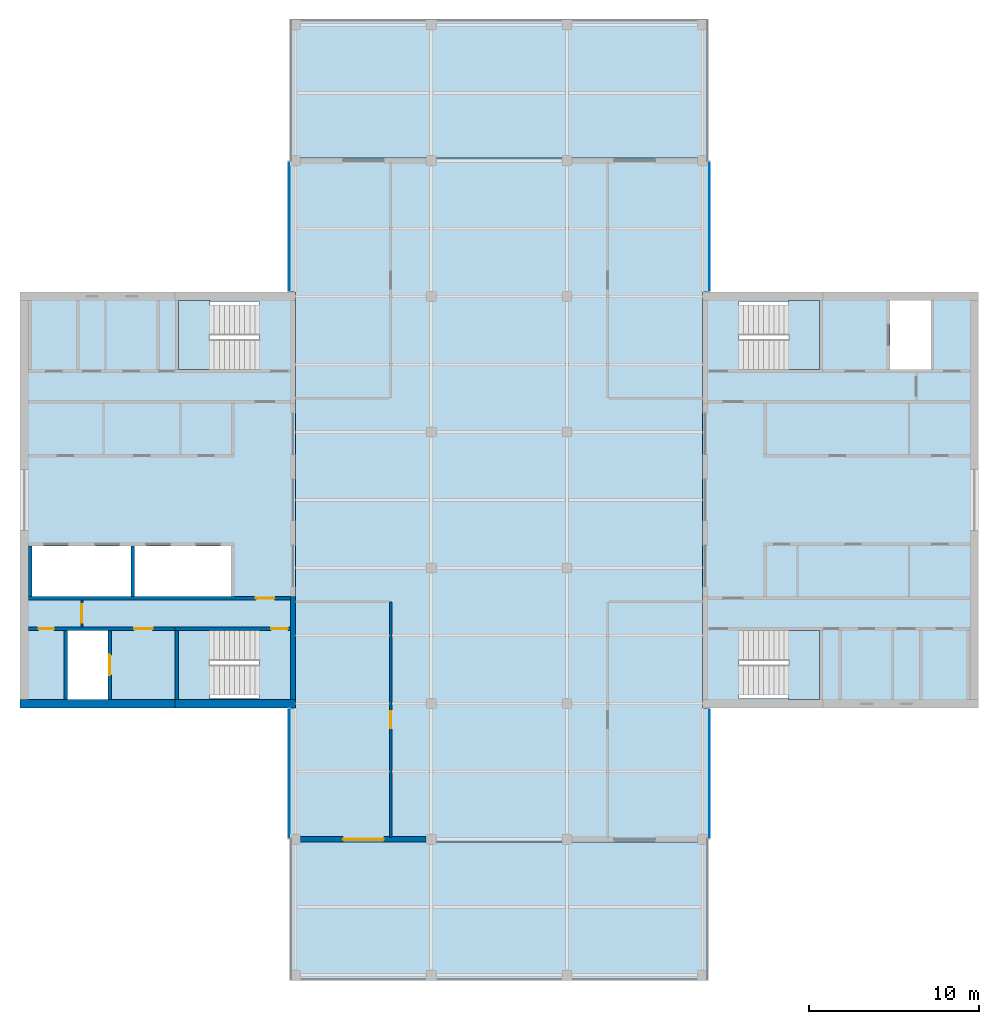
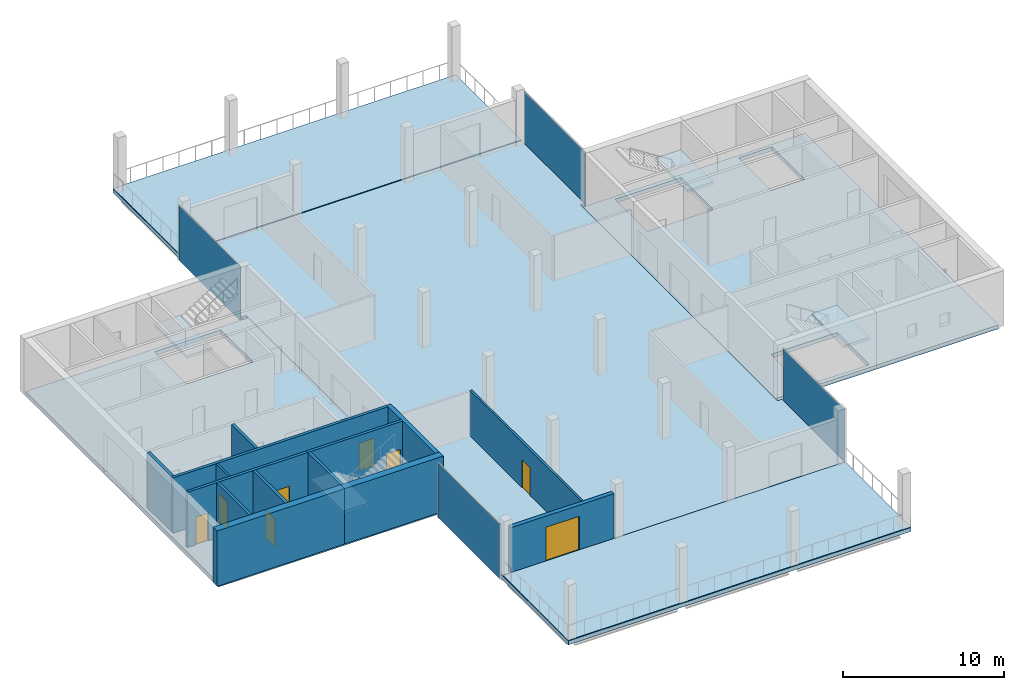
# One storey, part 7 of 12: 14 walls, 9 slabs, 8 doors, 4 plates, 8 openings, 8 elements without a shape of their own.
"""IFC4 building model written with IfcOpenShell, lengths in metres."""

from ifc_helpers import new_model, si_unit, direction, frame, frame_2d, origin, place, context, subcontext, project, spatial, polyline, rectangle, outline, extrude, material, layer, layer_set, constituent, constituent_set, type_object, element, fill, aggregate, save


model = new_model("IFC4")

# Units and contexts
model_context = context("Model", 3, precision=1e-05, world=origin(), true_north=direction((0.0, 1.0)))
body_context = subcontext(model_context, "Body", "Model", "MODEL_VIEW")
ifc_project = project(units=[si_unit("LENGTHUNIT", "METRE"), si_unit("AREAUNIT", "SQUARE_METRE"), si_unit("VOLUMEUNIT", "CUBIC_METRE"), si_unit("PLANEANGLEUNIT", "RADIAN"), si_unit("MASSUNIT", "GRAM", prefix="KILO")], contexts=[model_context])

# Site, building, storey
site_placement = place(None, origin())
site = spatial("IfcSite", under=ifc_project, at=site_placement, CompositionType="ELEMENT")
building_placement = place(site_placement, origin())
building = spatial("IfcBuilding", under=site, at=building_placement, Name="Crosswind Convention Tower", CompositionType="ELEMENT")
storey_placement = place(building_placement, frame((0.0, 0.0, 328.10009765625)))
storey = spatial("IfcBuildingStorey", under=building, at=storey_placement, Name="L71", CompositionType="ELEMENT", Elevation=328.10009765625)

# Slabs
ifc_material_1 = material(Name="Concrete C40/50", Category="concrete")
ifc_layer_1 = layer(ifc_material_1, 0.300048828125)
ifc_layer_set_1 = layer_set([ifc_layer_1], Name="Concrete C40/50")
slab_type_1 = type_object("IfcSlabType", Name="Composite floor slab 300", PredefinedType="FLOOR", material=ifc_layer_set_1)
slab_1_placement = place(storey_placement, frame((0.0, 0.0, -0.300048828125)))
element("IfcSlab", 1, at=slab_1_placement, inside=storey, type_object=slab_type_1, Name="Floor slab L71", PredefinedType="FLOOR", context=body_context, shape_type="SweptSolid", body=[
    extrude(outline(polyline([(137.300048828125, 71.699951171875), (137.0, 71.699951171875), (113.0, 71.699951171875), (112.699951171875, 71.699951171875), (112.699951171875, 72.0), (112.699951171875, 87.75), (113.0, 87.75), (113.0, 112.25), (112.699951171875, 112.25), (112.699951171875, 128.0), (112.699951171875, 128.300048828125), (113.0, 128.300048828125), (137.0, 128.300048828125), (137.300048828125, 128.300048828125), (137.300048828125, 128.0), (137.300048828125, 112.25), (137.0, 112.25), (137.0, 87.75), (137.300048828125, 87.75), (137.300048828125, 72.0), (137.300048828125, 71.699951171875)])), origin(), (0.0, 0.0, 1.0), 0.300048828125),
])
ifc_layer_2 = layer(ifc_material_1, 0.300048828125)
ifc_layer_set_2 = layer_set([ifc_layer_2], Name="Concrete C40/50")
slab_type_2 = type_object("IfcSlabType", Name="Concrete core floor slab 300", PredefinedType="FLOOR", material=ifc_layer_set_2)
slab_2_placement = place(storey_placement, frame((0.0, 0.0, -0.300048828125)))
element("IfcSlab", 2, at=slab_2_placement, inside=storey, type_object=slab_type_2, Name="Core floor slab E L71", PredefinedType="FLOOR", context=body_context, shape_type="SweptSolid", body=[
    extrude(outline(polyline([(137.0, 88.0), (153.0, 88.0), (153.0, 112.0), (137.0, 112.0), (137.0, 88.0)]), holes=[polyline([(150.449951171875, 107.699951171875), (150.449951171875, 111.75), (148.050048828125, 111.75), (148.050048828125, 107.699951171875), (150.449951171875, 107.699951171875)]), polyline([(143.89990234375, 107.699951171875), (143.89990234375, 111.699951171875), (139.14990234375, 111.699951171875), (139.14990234375, 107.699951171875), (143.89990234375, 107.699951171875)]), polyline([(143.89990234375, 88.300048828125), (143.89990234375, 92.300048828125), (139.14990234375, 92.300048828125), (139.14990234375, 88.300048828125), (143.89990234375, 88.300048828125)])]), origin(), (0.0, 0.0, 1.0), 0.300048828125),
])
slab_3_placement = place(storey_placement, frame((0.0, 0.0, -0.300048828125)))
element("IfcSlab", 3, at=slab_3_placement, inside=storey, type_object=slab_type_2, Name="Core floor slab W L71", PredefinedType="FLOOR", context=body_context, shape_type="SweptSolid", body=[
    extrude(outline(polyline([(97.0, 88.0), (113.0, 88.0), (113.0, 112.0), (97.0, 112.0), (97.0, 88.0)]), holes=[polyline([(109.199951171875, 94.300048828125), (109.199951171875, 97.300048828125), (103.5, 97.300048828125), (103.5, 94.300048828125), (109.199951171875, 94.300048828125)]), polyline([(103.300048828125, 94.300048828125), (103.300048828125, 97.300048828125), (97.449951171875, 97.300048828125), (97.449951171875, 94.300048828125), (103.300048828125, 94.300048828125)]), polyline([(101.949951171875, 88.25), (101.949951171875, 92.300048828125), (99.550048828125, 92.300048828125), (99.550048828125, 88.25), (101.949951171875, 88.25)]), polyline([(110.85009765625, 88.300048828125), (110.85009765625, 92.300048828125), (106.10009765625, 92.300048828125), (106.10009765625, 88.300048828125), (110.85009765625, 88.300048828125)]), polyline([(110.85009765625, 107.699951171875), (110.85009765625, 111.699951171875), (106.10009765625, 111.699951171875), (106.10009765625, 107.699951171875), (110.85009765625, 107.699951171875)])]), origin(), (0.0, 0.0, 1.0), 0.300048828125),
])
ifc_material_2 = material(Name="Porcelain paving on pedestals", Category="ceramic")
ifc_layer_3 = layer(ifc_material_2, 0.050048828125)
ifc_layer_set_3 = layer_set([ifc_layer_3], Name="SKY DECK PAVING 50")
slab_type_3 = type_object("IfcSlabType", Name="SKY DECK PAVING 50", PredefinedType="USERDEFINED", material=ifc_layer_set_3)
slab_4_placement = place(storey_placement, origin())
element("IfcSlab", 4, at=slab_4_placement, inside=storey, type_object=slab_type_3, Name="Sky deck L71 N", ObjectType="PAVING", PredefinedType="USERDEFINED", context=body_context, shape_type="SweptSolid", body=[
    extrude(outline(polyline([(112.699951171875, 128.0), (112.699951171875, 128.300048828125), (113.0, 128.300048828125), (137.0, 128.300048828125), (137.300048828125, 128.300048828125), (137.300048828125, 128.0), (137.300048828125, 120.14990234375), (112.699951171875, 120.14990234375), (112.699951171875, 128.0)])), origin(), (0.0, 0.0, 1.0), 0.0498046875),
])
slab_5_placement = place(storey_placement, origin())
element("IfcSlab", 5, at=slab_5_placement, inside=storey, type_object=slab_type_3, Name="Sky deck L71 S", ObjectType="PAVING", PredefinedType="USERDEFINED", context=body_context, shape_type="SweptSolid", body=[
    extrude(outline(polyline([(137.300048828125, 71.699951171875), (137.0, 71.699951171875), (113.0, 71.699951171875), (112.699951171875, 71.699951171875), (112.699951171875, 72.0), (112.699951171875, 79.85009765625), (137.300048828125, 79.85009765625), (137.300048828125, 72.0), (137.300048828125, 71.699951171875)])), origin(), (0.0, 0.0, 1.0), 0.0498046875),
])

# Stair, slab
stair_type = type_object("IfcStairType", Name="Exit stair 1800 wide, 2 flights of 11 risers", PredefinedType="HALF_TURN_STAIR", material=ifc_material_1)
stair_1_placement = place(storey_placement, origin())
stair_1 = element("IfcStair", 6, at=stair_1_placement, inside=storey, type_object=stair_type, Name="Exit stair ST1 L71", ObjectType="ST5", PredefinedType="HALF_TURN_STAIR")
ifc_layer_4 = layer(ifc_material_1, 0.199951171875)
ifc_layer_set_4 = layer_set([ifc_layer_4], Name="Concrete C40/50")
slab_type_4 = type_object("IfcSlabType", Name="Stair landing 200", PredefinedType="LANDING", material=ifc_layer_set_4)
slab_6_placement = place(storey_placement, frame((0.0, 0.0, 1.89990234375)))
slab_6 = element("IfcSlab", 7, at=slab_6_placement, type_object=slab_type_4, Name="ST1 landing 1", PredefinedType="LANDING", context=body_context, shape_type="SweptSolid", body=[
    extrude(outline(polyline([(143.89990234375, 107.699951171875), (143.89990234375, 111.75), (142.050048828125, 111.75), (142.050048828125, 107.699951171875), (143.89990234375, 107.699951171875)])), origin(), (0.0, 0.0, 1.0), 0.199951171875),
])
aggregate(stair_1, [slab_6])

stair_2_placement = place(storey_placement, origin())
stair_2 = element("IfcStair", 8, at=stair_2_placement, inside=storey, type_object=stair_type, Name="Exit stair ST2 L71", ObjectType="ST5", PredefinedType="HALF_TURN_STAIR")
slab_7_placement = place(storey_placement, frame((0.0, 0.0, 1.89990234375)))
slab_7 = element("IfcSlab", 9, at=slab_7_placement, type_object=slab_type_4, Name="ST2 landing 1", PredefinedType="LANDING", context=body_context, shape_type="SweptSolid", body=[
    extrude(outline(polyline([(143.89990234375, 88.25), (143.89990234375, 92.300048828125), (142.050048828125, 92.300048828125), (142.050048828125, 88.25), (143.89990234375, 88.25)])), origin(), (0.0, 0.0, 1.0), 0.199951171875),
])
aggregate(stair_2, [slab_7])

stair_3_placement = place(storey_placement, origin())
stair_3 = element("IfcStair", 10, at=stair_3_placement, inside=storey, type_object=stair_type, Name="Exit stair ST3 L71", ObjectType="ST5", PredefinedType="HALF_TURN_STAIR")
slab_8_placement = place(storey_placement, frame((0.0, 0.0, 1.89990234375)))
slab_8 = element("IfcSlab", 11, at=slab_8_placement, type_object=slab_type_4, Name="ST3 landing 1", PredefinedType="LANDING", context=body_context, shape_type="SweptSolid", body=[
    extrude(outline(polyline([(107.949951171875, 88.25), (107.949951171875, 92.300048828125), (106.10009765625, 92.300048828125), (106.10009765625, 88.25), (107.949951171875, 88.25)])), origin(), (0.0, 0.0, 1.0), 0.199951171875),
])
aggregate(stair_3, [slab_8])

stair_4_placement = place(storey_placement, origin())
stair_4 = element("IfcStair", 12, at=stair_4_placement, inside=storey, type_object=stair_type, Name="Exit stair ST4 L71", ObjectType="ST5", PredefinedType="HALF_TURN_STAIR")
slab_9_placement = place(storey_placement, frame((0.0, 0.0, 1.89990234375)))
slab_9 = element("IfcSlab", 13, at=slab_9_placement, type_object=slab_type_4, Name="ST4 landing 1", PredefinedType="LANDING", context=body_context, shape_type="SweptSolid", body=[
    extrude(outline(polyline([(107.949951171875, 107.699951171875), (107.949951171875, 111.75), (106.10009765625, 111.75), (106.10009765625, 107.699951171875), (107.949951171875, 107.699951171875)])), origin(), (0.0, 0.0, 1.0), 0.199951171875),
])
aggregate(stair_4, [slab_9])

# Curtain wall, plate
ifc_material_3 = material(Name="Aluminium unitised curtain wall", Category="aluminium")
curtain_wall_type = type_object("IfcCurtainWallType", Name="CORE END SLOT WALL 160", PredefinedType="USERDEFINED", material=ifc_material_3)
curtain_wall_1_placement = place(storey_placement, origin())
curtain_wall_1 = element("IfcCurtainWall", 14, at=curtain_wall_1_placement, inside=storey, type_object=curtain_wall_type, Name="CW6 L71 N-E.1-1 slot", ObjectType="UNITISED", PredefinedType="USERDEFINED")
ifc_material_4 = material(Name="Laminated insulating glass unit", Category="glass")
ifc_layer_5 = layer(ifc_material_4, 0.02587890625)
ifc_layer_set_5 = layer_set([ifc_layer_5], Name="TRIANGULAR GLASS PANEL 26")
plate_type = type_object("IfcPlateType", Name="TRIANGULAR GLASS PANEL 26", PredefinedType="CURTAIN_PANEL", material=ifc_layer_set_5)
plate_1_placement = place(storey_placement, frame((137.40673828125, 112.300048828125, -0.300048828125), z_axis=(0.999999937702, 0.0, 0.000352982682), x_axis=(0.0, 1.0, 0.0)))
plate_1 = element("IfcPlate", 15, at=plate_1_placement, type_object=plate_type, Name="CW6 panel 1.1", PredefinedType="CURTAIN_PANEL", context=body_context, shape_type="SweptSolid", body=[
    extrude(outline(polyline([(0.0, 0.0), (7.64990234375, 0.0), (7.64990234375, 4.149902602282246), (0.0, 4.149902602282246), (0.0, 0.0)])), origin(), (0.0, 0.0, -1.0), 0.02587890625),
])
aggregate(curtain_wall_1, [plate_1])

curtain_wall_2_placement = place(storey_placement, origin())
curtain_wall_2 = element("IfcCurtainWall", 16, at=curtain_wall_2_placement, inside=storey, type_object=curtain_wall_type, Name="CW6 L71 N-W.1-2 slot", ObjectType="UNITISED", PredefinedType="USERDEFINED")
plate_2_placement = place(storey_placement, frame((112.59326171875, 119.949951171875, -0.300048828125), z_axis=(-0.999999937702, 0.0, 0.000352982682), x_axis=(0.0, -1.0, 0.0)))
plate_2 = element("IfcPlate", 17, at=plate_2_placement, type_object=plate_type, Name="CW6 panel 1.1", PredefinedType="CURTAIN_PANEL", context=body_context, shape_type="SweptSolid", body=[
    extrude(outline(polyline([(0.0, 0.0), (7.64990234375, 0.0), (7.64990234375, 4.149902602282246), (0.0, 4.149902602282246), (0.0, 0.0)])), origin(), (0.0, 0.0, -1.0), 0.02587890625),
])
aggregate(curtain_wall_2, [plate_2])

curtain_wall_3_placement = place(storey_placement, origin())
curtain_wall_3 = element("IfcCurtainWall", 18, at=curtain_wall_3_placement, inside=storey, type_object=curtain_wall_type, Name="CW6 L71 S-W.1-1 slot", ObjectType="UNITISED", PredefinedType="USERDEFINED")
plate_3_placement = place(storey_placement, frame((112.59326171875, 87.699951171875, -0.300048828125), z_axis=(-0.999999937702, 0.0, 0.000352982682), x_axis=(0.0, -1.0, 0.0)))
plate_3 = element("IfcPlate", 19, at=plate_3_placement, type_object=plate_type, Name="CW6 panel 1.1", PredefinedType="CURTAIN_PANEL", context=body_context, shape_type="SweptSolid", body=[
    extrude(outline(polyline([(0.0, 0.0), (7.64990234375, 0.0), (7.64990234375, 4.149902602282246), (0.0, 4.149902602282246), (0.0, 0.0)])), origin(), (0.0, 0.0, -1.0), 0.02587890625),
])
aggregate(curtain_wall_3, [plate_3])

curtain_wall_4_placement = place(storey_placement, origin())
curtain_wall_4 = element("IfcCurtainWall", 20, at=curtain_wall_4_placement, inside=storey, type_object=curtain_wall_type, Name="CW6 L71 S-E.1-2 slot", ObjectType="UNITISED", PredefinedType="USERDEFINED")
plate_4_placement = place(storey_placement, frame((137.40673828125, 80.050048828125, -0.300048828125), z_axis=(0.999999937702, 0.0, 0.000352982682), x_axis=(0.0, 1.0, 0.0)))
plate_4 = element("IfcPlate", 21, at=plate_4_placement, type_object=plate_type, Name="CW6 panel 1.1", PredefinedType="CURTAIN_PANEL", context=body_context, shape_type="SweptSolid", body=[
    extrude(outline(polyline([(0.0, 0.0), (7.64990234375, 0.0), (7.64990234375, 4.149902602282246), (0.0, 4.149902602282246), (0.0, 0.0)])), origin(), (0.0, 0.0, -1.0), 0.02587890625),
])
aggregate(curtain_wall_4, [plate_4])

# Walls
ifc_material_5 = material(Name="Concrete C50/60", Category="concrete")
ifc_layer_6 = layer(ifc_material_5, 0.300048828125)
ifc_layer_set_6 = layer_set([ifc_layer_6], Name="Concrete C50/60")
wall_type_1 = type_object("IfcWallType", Name="Concrete inner core wall 300", PredefinedType="SHEAR", material=ifc_layer_set_6)
wall_1_placement = place(storey_placement, frame((112.85009765625, 94.300048828125, 0.0), z_axis=(0.0, 0.0, 1.0), x_axis=(0.0, -1.0, 0.0)))
element("IfcWall", 22, at=wall_1_placement, inside=storey, type_object=wall_type_1, Name="Wall EP W L71", PredefinedType="SHEAR", context=body_context, shape_type="SweptSolid", body=[
    extrude(rectangle(XDim=6.050048828125, YDim=0.300048828125, at=frame_2d((3.02490234375, 0.0))), origin(), (0.0, 0.0, 1.0), 4.199951171875),
])
ifc_layer_7 = layer(ifc_material_5, 0.199951171875)
ifc_layer_set_7 = layer_set([ifc_layer_7], Name="Concrete C50/60")
wall_type_2 = type_object("IfcWallType", Name="Concrete shaft and stair wall 200", PredefinedType="SHEAR", material=ifc_layer_set_7)
for number, where, z_axis, x_axis, name in (
    (23, (103.39990234375, 97.300048828125, 0.0), (0.0, 0.0, 1.0), (0.0, -1.0, 0.0), "Wall RPSEP W L71"),
    (24, (97.35009765625, 97.300048828125, 0.0), (0.0, 0.0, 1.0), (0.0, -1.0, 0.0), "Wall RPEAST W L71"),
):
    element("IfcWall", number, at=place(storey_placement, frame(where, z_axis=z_axis, x_axis=x_axis)), inside=storey, type_object=wall_type_2, Name=name, PredefinedType="SHEAR", context=body_context, shape_type="SweptSolid", body=[
        extrude(rectangle(XDim=3.0, YDim=0.199951171875, at=frame_2d((1.5, 0.0))), origin(), (0.0, 0.0, 1.0), 4.199951171875),
    ])

# Wall, opening, door
wall_2_placement = place(storey_placement, frame((112.699951171875, 94.199951171875, 0.0), z_axis=(0.0, 0.0, 1.0), x_axis=(-1.0, 0.0, 0.0)))
wall_2 = element("IfcWall", 25, at=wall_2_placement, inside=storey, type_object=wall_type_2, Name="Wall HP W L71", PredefinedType="SHEAR", context=body_context, shape_type="SweptSolid", body=[
    extrude(rectangle(XDim=15.449951171875, YDim=0.199951171875, at=frame_2d((7.72509765625, 0.0))), origin(), (0.0, 0.0, 1.0), 4.199951171875),
])
opening_1_placement = place(wall_2_placement, frame((0.949951171875, 0.0, 0.0)))
opening_1 = element("IfcOpeningElement", 26, at=opening_1_placement, cuts=wall_2, Name="Opening D104", PredefinedType="OPENING", context=body_context, shape_type="SweptSolid", body=[
    extrude(rectangle(XDim=1.10009765625, YDim=2.10009765625, at=frame_2d((0.550048828125, 1.050048828125))), frame((0.0, 0.10986328125, 0.0), z_axis=(0.0, -1.0, 0.0), x_axis=(1.0, 0.0, 0.0)), (0.0, 0.0, 1.0), 0.219970703125),
])
ifc_material_6 = material(Name="Steel fire door", Category="steel")
door_type_1 = type_object("IfcDoorType", Name="Fire-rated single door 1100x2100", OperationType="NOTDEFINED", PredefinedType="DOOR", material=ifc_material_6)
door_1_placement = place(opening_1_placement, origin())
door_1 = element("IfcDoor", 27, at=door_1_placement, inside=storey, type_object=door_type_1, Name="Corridor door L71", ObjectType="D104", OperationType="SINGLE_SWING_LEFT", OverallHeight=2.10009765625, OverallWidth=1.10009765625, PredefinedType="DOOR", context=body_context, shape_type="SweptSolid", body=[
    extrude(rectangle(XDim=1.10009765625, YDim=2.10009765625, at=frame_2d((0.550048828125, 1.050048828125))), frame((0.0, 0.02490234375, 0.0), z_axis=(0.0, -1.0, 0.0), x_axis=(1.0, 0.0, 0.0)), (0.0, 0.0, 1.0), 0.050048828125),
])
fill(opening_1, door_1)

# Wall
wall_3_placement = place(storey_placement, frame((106.0, 92.300048828125, 0.0), z_axis=(0.0, 0.0, 1.0), x_axis=(0.0, -1.0, 0.0)))
element("IfcWall", 28, at=wall_3_placement, inside=storey, type_object=wall_type_2, Name="Wall PSE W L71", PredefinedType="SHEAR", context=body_context, shape_type="SweptSolid", body=[
    extrude(rectangle(XDim=4.050048828125, YDim=0.199951171875, at=frame_2d((2.02490234375, 0.0))), origin(), (0.0, 0.0, 1.0), 4.199951171875),
])

# Wall, opening, door
wall_4_placement = place(storey_placement, frame((102.050048828125, 92.300048828125, 0.0), z_axis=(0.0, 0.0, 1.0), x_axis=(0.0, -1.0, 0.0)))
wall_4 = element("IfcWall", 29, at=wall_4_placement, inside=storey, type_object=wall_type_2, Name="Wall PFLW W L71", PredefinedType="SHEAR", context=body_context, shape_type="SweptSolid", body=[
    extrude(rectangle(XDim=4.050048828125, YDim=0.199951171875, at=frame_2d((2.02490234375, 0.0))), origin(), (0.0, 0.0, 1.0), 4.199951171875),
])
opening_2_placement = place(wall_4_placement, frame((1.425048828125, 0.0, 0.0)))
opening_2 = element("IfcOpeningElement", 30, at=opening_2_placement, cuts=wall_4, Name="Opening LD1", PredefinedType="OPENING", context=body_context, shape_type="SweptSolid", body=[
    extrude(rectangle(XDim=1.199951171875, YDim=2.10009765625, at=frame_2d((0.60009765625, 1.050048828125))), frame((0.0, 0.10986328125, 0.0), z_axis=(0.0, -1.0, 0.0), x_axis=(1.0, 0.0, 0.0)), (0.0, 0.0, 1.0), 0.219970703125),
])
ifc_material_7 = material(Name="Stainless steel", Category="steel")
door_type_2 = type_object("IfcDoorType", Name="Lift landing door 1200x2100", OperationType="DOUBLE_DOOR_SLIDING", PredefinedType="DOOR", material=ifc_material_7)
door_2_placement = place(opening_2_placement, origin())
door_2 = element("IfcDoor", 31, at=door_2_placement, inside=storey, type_object=door_type_2, Name="Landing door FF2 L71", ObjectType="LD1", OperationType="DOUBLE_DOOR_SLIDING", OverallHeight=2.10009765625, OverallWidth=1.199951171875, PredefinedType="DOOR", context=body_context, shape_type="SweptSolid", body=[
    extrude(rectangle(XDim=1.199951171875, YDim=2.10009765625, at=frame_2d((0.60009765625, 1.050048828125))), frame((0.0, 0.02490234375, 0.0), z_axis=(0.0, -1.0, 0.0), x_axis=(1.0, 0.0, 0.0)), (0.0, 0.0, 1.0), 0.050048828125),
])
fill(opening_2, door_2)

# Wall
wall_5_placement = place(storey_placement, frame((99.449951171875, 92.300048828125, 0.0), z_axis=(0.0, 0.0, 1.0), x_axis=(0.0, -1.0, 0.0)))
element("IfcWall", 32, at=wall_5_placement, inside=storey, type_object=wall_type_2, Name="Wall PFSE W L71", PredefinedType="SHEAR", context=body_context, shape_type="SweptSolid", body=[
    extrude(rectangle(XDim=4.050048828125, YDim=0.199951171875, at=frame_2d((2.02490234375, 0.0))), origin(), (0.0, 0.0, 1.0), 4.199951171875),
])

# Wall, opening, door
wall_6_placement = place(storey_placement, frame((112.699951171875, 92.39990234375, 0.0), z_axis=(0.0, 0.0, 1.0), x_axis=(-1.0, 0.0, 0.0)))
wall_6 = element("IfcWall", 33, at=wall_6_placement, inside=storey, type_object=wall_type_2, Name="Wall PCW W L71", PredefinedType="SHEAR", context=body_context, shape_type="SweptSolid", body=[
    extrude(rectangle(XDim=6.800048828125, YDim=0.199951171875, at=frame_2d((3.39990234375, 0.0))), origin(), (0.0, 0.0, 1.0), 4.199951171875),
])
opening_3_placement = place(wall_6_placement, frame((0.14990234375, 0.0, 0.0)))
opening_3 = element("IfcOpeningElement", 34, at=opening_3_placement, cuts=wall_6, Name="Opening D103", PredefinedType="OPENING", context=body_context, shape_type="SweptSolid", body=[
    extrude(rectangle(XDim=1.0, YDim=2.10009765625, at=frame_2d((0.5, 1.050048828125))), frame((0.0, 0.10986328125, 0.0), z_axis=(0.0, -1.0, 0.0), x_axis=(1.0, 0.0, 0.0)), (0.0, 0.0, 1.0), 0.219970703125),
])
door_type_3 = type_object("IfcDoorType", Name="Fire-rated single door 1000x2100", OperationType="NOTDEFINED", PredefinedType="DOOR", material=ifc_material_6)
door_3_placement = place(opening_3_placement, origin())
door_3 = element("IfcDoor", 35, at=door_3_placement, inside=storey, type_object=door_type_3, Name="Stair ST3 door L71", ObjectType="D103", OperationType="SINGLE_SWING_LEFT", OverallHeight=2.10009765625, OverallWidth=1.0, PredefinedType="DOOR", context=body_context, shape_type="SweptSolid", body=[
    extrude(rectangle(XDim=1.0, YDim=2.10009765625, at=frame_2d((0.5, 1.050048828125))), frame((0.0, 0.02490234375, 0.0), z_axis=(0.0, -1.0, 0.0), x_axis=(1.0, 0.0, 0.0)), (0.0, 0.0, 1.0), 0.050048828125),
])
fill(opening_3, door_3)

# Wall, openings, doors
wall_7_placement = place(storey_placement, frame((105.89990234375, 92.39990234375, 0.0), z_axis=(0.0, 0.0, 1.0), x_axis=(-1.0, 0.0, 0.0)))
wall_7 = element("IfcWall", 36, at=wall_7_placement, inside=storey, type_object=wall_type_2, Name="Wall PCX W L71", PredefinedType="SHEAR", context=body_context, shape_type="SweptSolid", body=[
    extrude(rectangle(XDim=8.64990234375, YDim=0.199951171875, at=frame_2d((4.324951171875, 0.0))), origin(), (0.0, 0.0, 1.0), 4.199951171875),
])
opening_4_placement = place(wall_7_placement, frame((1.324951171875, 0.0, 0.0)))
opening_4 = element("IfcOpeningElement", 37, at=opening_4_placement, cuts=wall_7, Name="Opening D104", PredefinedType="OPENING", context=body_context, shape_type="SweptSolid", body=[
    extrude(rectangle(XDim=1.10009765625, YDim=2.10009765625, at=frame_2d((0.550048828125, 1.050048828125))), frame((0.0, 0.10986328125, 0.0), z_axis=(0.0, -1.0, 0.0), x_axis=(1.0, 0.0, 0.0)), (0.0, 0.0, 1.0), 0.219970703125),
])
opening_5_placement = place(wall_7_placement, frame((7.14990234375, 0.0, 0.0)))
opening_5 = element("IfcOpeningElement", 38, at=opening_5_placement, cuts=wall_7, Name="Opening D106", PredefinedType="OPENING", context=body_context, shape_type="SweptSolid", body=[
    extrude(rectangle(XDim=0.89990234375, YDim=2.10009765625, at=frame_2d((0.449951171875, 1.050048828125))), frame((0.0, 0.10986328125, 0.0), z_axis=(0.0, -1.0, 0.0), x_axis=(1.0, 0.0, 0.0)), (0.0, 0.0, 1.0), 0.219970703125),
])
door_4_placement = place(opening_4_placement, origin())
door_4 = element("IfcDoor", 39, at=door_4_placement, inside=storey, type_object=door_type_1, Name="Fire-fighting lobby FF2 door L71", ObjectType="D104", OperationType="SINGLE_SWING_RIGHT", OverallHeight=2.10009765625, OverallWidth=1.10009765625, PredefinedType="DOOR", context=body_context, shape_type="SweptSolid", body=[
    extrude(rectangle(XDim=1.10009765625, YDim=2.10009765625, at=frame_2d((0.550048828125, 1.050048828125))), frame((0.0, 0.02490234375, 0.0), z_axis=(0.0, -1.0, 0.0), x_axis=(1.0, 0.0, 0.0)), (0.0, 0.0, 1.0), 0.050048828125),
])
fill(opening_4, door_4)
ifc_material_8 = material(Name="Timber door", Category="wood")
door_type_4 = type_object("IfcDoorType", Name="Single leaf door 900x2100", OperationType="NOTDEFINED", PredefinedType="DOOR", material=ifc_material_8)
door_5_placement = place(opening_5_placement, origin())
door_5 = element("IfcDoor", 40, at=door_5_placement, inside=storey, type_object=door_type_4, Name="Door to telecoms room L71", ObjectType="D106", OperationType="SINGLE_SWING_RIGHT", OverallHeight=2.10009765625, OverallWidth=0.89990234375, PredefinedType="DOOR", context=body_context, shape_type="SweptSolid", body=[
    extrude(rectangle(XDim=0.89990234375, YDim=2.10009765625, at=frame_2d((0.449951171875, 1.050048828125))), frame((0.0, 0.02490234375, 0.0), z_axis=(0.0, -1.0, 0.0), x_axis=(1.0, 0.0, 0.0)), (0.0, 0.0, 1.0), 0.050048828125),
])
fill(opening_5, door_5)

# Wall, opening, door
ifc_material_9 = material(Name="Gypsum plasterboard partition", Category="gypsum")
ifc_layer_8 = layer(ifc_material_9, 0.125)
ifc_layer_set_8 = layer_set([ifc_layer_8], Name="Drywall partition wall 125")
wall_type_3 = type_object("IfcWallType", Name="Drywall partition wall 125", PredefinedType="PARTITIONING", material=ifc_layer_set_8)
wall_8_placement = place(storey_placement, frame((100.39990234375, 94.10009765625, 0.0), z_axis=(0.0, 0.0, 1.0), x_axis=(0.0, -1.0, 0.0)))
wall_8 = element("IfcWall", 41, at=wall_8_placement, inside=storey, type_object=wall_type_3, Name="Wall PXC1 W L71", PredefinedType="PARTITIONING", context=body_context, shape_type="SweptSolid", body=[
    extrude(rectangle(XDim=1.60009765625, YDim=0.125, at=frame_2d((0.800048828125, 0.0))), origin(), (0.0, 0.0, 1.0), 4.199951171875),
])
opening_6_placement = place(wall_8_placement, frame((0.25, 0.0, 0.0)))
opening_6 = element("IfcOpeningElement", 42, at=opening_6_placement, cuts=wall_8, Name="Opening D104", PredefinedType="OPENING", context=body_context, shape_type="SweptSolid", body=[
    extrude(rectangle(XDim=1.10009765625, YDim=2.10009765625, at=frame_2d((0.550048828125, 1.050048828125))), frame((0.0, 0.072509765625, 0.0), z_axis=(0.0, -1.0, 0.0), x_axis=(1.0, 0.0, 0.0)), (0.0, 0.0, 1.0), 0.14501953125),
])
door_6_placement = place(opening_6_placement, origin())
door_6 = element("IfcDoor", 43, at=door_6_placement, inside=storey, type_object=door_type_1, Name="Corridor smoke door L71", ObjectType="D104", OperationType="SINGLE_SWING_RIGHT", OverallHeight=2.10009765625, OverallWidth=1.10009765625, PredefinedType="DOOR", context=body_context, shape_type="SweptSolid", body=[
    extrude(rectangle(XDim=1.10009765625, YDim=2.10009765625, at=frame_2d((0.550048828125, 1.050048828125))), frame((0.0, 0.02490234375, 0.0), z_axis=(0.0, -1.0, 0.0), x_axis=(1.0, 0.0, 0.0)), (0.0, 0.0, 1.0), 0.050048828125),
])
fill(opening_6, door_6)

ifc_material_10 = material(Name="Fire-board partition with mineral wool", Category="gypsum")
ifc_layer_9 = layer(ifc_material_10, 0.14990234375)
ifc_layer_set_9 = layer_set([ifc_layer_9], Name="TENANCY WALL 150 TWO-HOUR BOARD")
wall_type_4 = type_object("IfcWallType", Name="TENANCY WALL 150 TWO-HOUR BOARD", PredefinedType="PARTITIONING", material=ifc_layer_set_9)
wall_9_placement = place(storey_placement, frame((118.60009765625, 80.10009765625, 0.0), z_axis=(0.0, 0.0, 1.0), x_axis=(0.0, 1.0, 0.0)))
wall_9 = element("IfcWall", 44, at=wall_9_placement, inside=storey, type_object=wall_type_4, Name="Tenancy wall WT41", PredefinedType="PARTITIONING", context=body_context, shape_type="SweptSolid", body=[
    extrude(rectangle(XDim=13.89990234375, YDim=0.14990234375, at=frame_2d((6.949951171875, 0.0))), origin(), (0.0, 0.0, 1.0), 3.442626953125),
])
opening_7_placement = place(wall_9_placement, frame((6.449951171875, 0.0, 0.0)))
opening_7 = element("IfcOpeningElement", 45, at=opening_7_placement, cuts=wall_9, Name="Opening L71-53", PredefinedType="OPENING", context=body_context, shape_type="SweptSolid", body=[
    extrude(rectangle(XDim=1.0, YDim=2.10009765625, at=frame_2d((0.5, 1.050048828125))), frame((0.0, 0.0849609375, 0.0), z_axis=(0.0, -1.0, 0.0), x_axis=(1.0, 0.0, 0.0)), (0.0, 0.0, 1.0), 0.169921875),
])
ifc_material_11 = material(Name="Timber fire door", Category="wood")
door_type_5 = type_object("IfcDoorType", Name="TENANCY ENTRANCE DOOR 1000X2100 FD30S", OperationType="NOTDEFINED", PredefinedType="DOOR", material=ifc_material_11)
door_7_placement = place(opening_7_placement, origin())
door_7 = element("IfcDoor", 46, at=door_7_placement, inside=storey, type_object=door_type_5, Name="Door L71-53", ObjectType="D41", OperationType="SINGLE_SWING_RIGHT", OverallHeight=2.10009765625, OverallWidth=1.0, PredefinedType="DOOR", context=body_context, shape_type="SweptSolid", body=[
    extrude(rectangle(XDim=1.0, YDim=2.10009765625, at=frame_2d((0.5, 1.050048828125))), frame((0.0, 0.02490234375, 0.0), z_axis=(0.0, -1.0, 0.0), x_axis=(1.0, 0.0, 0.0)), (0.0, 0.0, 1.0), 0.050048828125),
])
fill(opening_7, door_7)

ifc_material_12 = material(Name="Terracotta rainscreen", Category="ceramic")
ifc_layer_10 = layer(ifc_material_12, 0.02001953125)
ifc_material_13 = material(Name="Mineral wool insulation", Category="insulation")
ifc_layer_11 = layer(ifc_material_13, 0.10009765625)
ifc_material_14 = material(Name="Concrete blockwork", Category="masonry")
ifc_layer_12 = layer(ifc_material_14, 0.179931640625)
ifc_layer_set_10 = layer_set([ifc_layer_10, ifc_layer_11, ifc_layer_12], Name="TERRACOTTA INFILL WALL 300")
wall_type_5 = type_object("IfcWallType", Name="TERRACOTTA INFILL WALL 300", PredefinedType="SOLIDWALL", material=ifc_layer_set_10)
wall_10_placement = place(storey_placement, frame((113.300048828125, 80.0, 0.0), z_axis=(0.0, 0.0, 1.0), x_axis=(1.0, 0.0, 0.0)))
wall_10 = element("IfcWall", 47, at=wall_10_placement, inside=storey, type_object=wall_type_5, Name="Portal front wall L71 S 1", PredefinedType="SOLIDWALL", context=body_context, shape_type="SweptSolid", body=[
    extrude(rectangle(XDim=7.39990234375, YDim=0.300048828125, at=frame_2d((3.699951171875, 0.0))), origin(), (0.0, 0.0, 1.0), 3.4462890625),
])
opening_8_placement = place(wall_10_placement, frame((2.5, 0.0, 0.0)))
opening_8 = element("IfcOpeningElement", 48, at=opening_8_placement, cuts=wall_10, Name="Opening D142", PredefinedType="OPENING", context=body_context, shape_type="SweptSolid", body=[
    extrude(rectangle(XDim=2.39990234375, YDim=2.60009765625, at=frame_2d((1.199951171875, 1.300048828125))), frame((0.0, 0.159912109375, 0.0), z_axis=(0.0, -1.0, 0.0), x_axis=(1.0, 0.0, 0.0)), (0.0, 0.0, 1.0), 0.320068359375),
])
ifc_material_15 = material(Name="Aluminium glazed door", Category="aluminium")
door_type_6 = type_object("IfcDoorType", Name="SKY DECK DOUBLE DOOR 2400X2600", OperationType="DOUBLE_DOOR_SINGLE_SWING", PredefinedType="DOOR", material=ifc_material_15)
door_8_placement = place(opening_8_placement, frame((2.39990234375, 0.0, 0.0), z_axis=(0.0, 0.0, 1.0), x_axis=(-1.0, 0.0, 0.0)))
door_8 = element("IfcDoor", 49, at=door_8_placement, inside=storey, type_object=door_type_6, Name="D142 sky deck door L71 S 1", ObjectType="D142", OperationType="DOUBLE_DOOR_SINGLE_SWING", OverallHeight=2.60009765625, OverallWidth=2.39990234375, PredefinedType="DOOR", context=body_context, shape_type="SweptSolid", body=[
    extrude(rectangle(XDim=2.39990234375, YDim=2.60009765625, at=frame_2d((1.199951171875, 1.300048828125))), frame((0.0, 0.02490234375, 0.0), z_axis=(0.0, -1.0, 0.0), x_axis=(1.0, 0.0, 0.0)), (0.0, 0.0, 1.0), 0.050048828125),
])
fill(opening_8, door_8)

# Walls
ifc_material_16 = material(Name="Concrete C60/75", Category="concrete")
ifc_constituent_1 = constituent(ifc_material_16, Name="Structure")
ifc_constituent_2 = constituent(ifc_material_12, Name="Facing")
ifc_constituent_set = constituent_set(constituents=[ifc_constituent_1, ifc_constituent_2], Name="Concrete C60/75, Terracotta rainscreen")
wall_type_6 = type_object("IfcWallType", Name="Terracotta rainscreen on concrete core wall 500", PredefinedType="SHEAR", material=ifc_constituent_set)
wall_11_placement = place(storey_placement, frame((113.0, 88.0, 0.0), z_axis=(0.0, 0.0, 1.0), x_axis=(-1.0, 0.0, 0.0)))
element("IfcWall", 50, at=wall_11_placement, inside=storey, type_object=wall_type_6, Name="Wall N1 W L71", PredefinedType="SHEAR", context=body_context, shape_type="SweptSolid", body=[
    extrude(rectangle(XDim=7.10009765625, YDim=0.5, at=frame_2d((3.550048828125, 0.0))), origin(), (0.0, 0.0, 1.0), 4.199951171875),
])
wall_12_placement = place(storey_placement, frame((105.89990234375, 88.0, 0.0), z_axis=(0.0, 0.0, 1.0), x_axis=(-1.0, 0.0, 0.0)))
element("IfcWall", 51, at=wall_12_placement, inside=storey, type_object=wall_type_6, Name="Wall N2 W L71", PredefinedType="SHEAR", context=body_context, shape_type="SweptSolid", body=[
    extrude(rectangle(XDim=9.14990234375, YDim=0.5, at=frame_2d((4.574951171875, 0.0))), origin(), (0.0, 0.0, 1.0), 4.199951171875),
])

save(model, "model.ifc")
